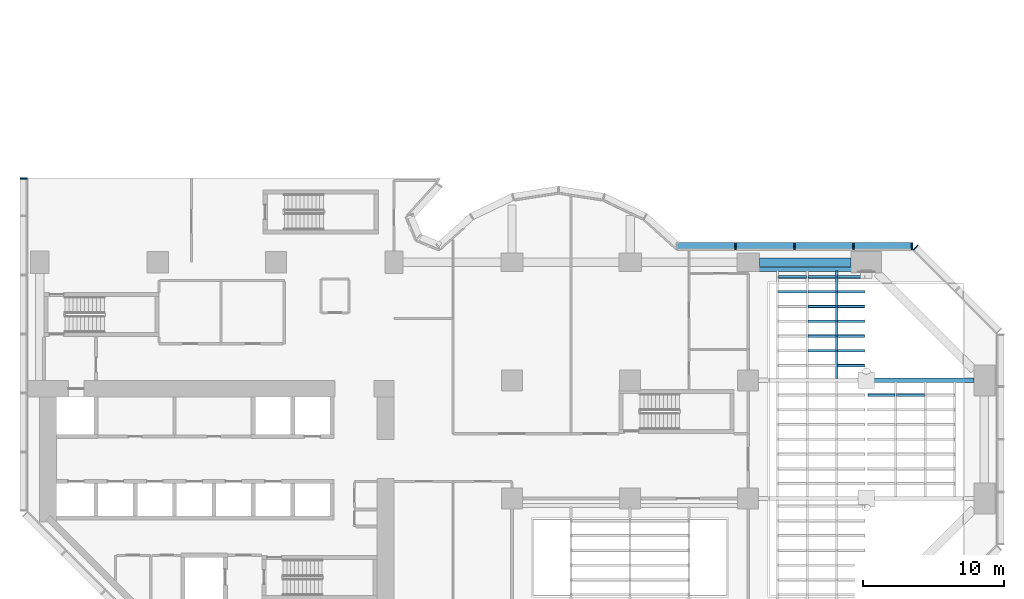
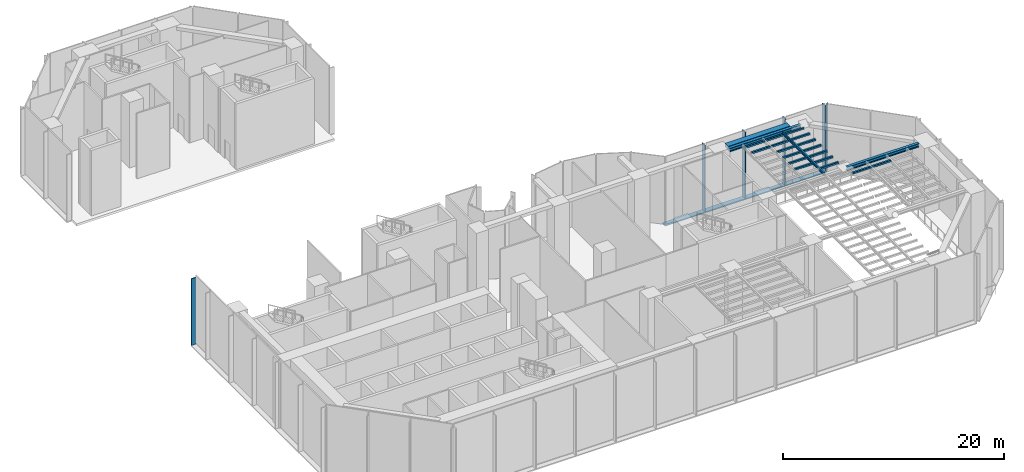
# One storey, part 4 of 22: 21 beams, 7 members, 3 elements without a shape of their own.
"""IFC4 building model written with IfcOpenShell, lengths in metres."""

from ifc_helpers import new_model, si_unit, direction, frame, origin, origin_2d, place, context, subcontext, project, spatial, rectangle, hollow_rectangle, i_section, extrude, material, material_profile, profile_set, type_object, element, aggregate, save


model = new_model("IFC4")

# Units and contexts
model_context = context("Model", 3, precision=1e-05, world=origin(), true_north=direction((0.0, 1.0)))
body_context = subcontext(model_context, "Body", "Model", "MODEL_VIEW")
ifc_project = project(units=[si_unit("LENGTHUNIT", "METRE"), si_unit("AREAUNIT", "SQUARE_METRE"), si_unit("VOLUMEUNIT", "CUBIC_METRE"), si_unit("PLANEANGLEUNIT", "RADIAN"), si_unit("MASSUNIT", "GRAM", prefix="KILO")], contexts=[model_context])

# Site, building, storey
site_placement = place(None, origin())
site = spatial("IfcSite", under=ifc_project, at=site_placement, CompositionType="ELEMENT")
building_placement = place(site_placement, origin())
building = spatial("IfcBuilding", under=site, at=building_placement, Name="Brevane Broadcast Tower", CompositionType="ELEMENT")
storey_placement = place(building_placement, frame((0.0, 0.0, 20.0)))
storey = spatial("IfcBuildingStorey", under=building, at=storey_placement, Name="L03", CompositionType="ELEMENT", Elevation=20.0)

# Curtain wall, member
ifc_material_1 = material(Name="Aluminium 6063-T6 bronze anodised", Category="aluminium")
curtain_wall_type = type_object("IfcCurtainWallType", Name="CW-2 curtain wall", PredefinedType="NOTDEFINED", material=ifc_material_1)
curtain_wall_1_placement = place(storey_placement, origin())
curtain_wall_1 = element("IfcCurtainWall", 1, at=curtain_wall_1_placement, inside=storey, type_object=curtain_wall_type, Name="CW-2 podium base unit L03 north-east chamfer", PredefinedType="NOTDEFINED")
ifc_material_profile_1 = material_profile(ifc_material_1, rectangle(XDim=0.5, YDim=0.090087890625, at=origin_2d()), Name="RECT 90x500")
ifc_profile_set_1 = profile_set([ifc_material_profile_1], Name="Aluminium 6063-T6 bronze anodised")
member_type_1 = type_object("IfcMemberType", Name="CW-2 mullion 90x500", PredefinedType="MULLION", material=ifc_profile_set_1)
member_1_placement = place(storey_placement, frame((62.30859375, 26.244873046875, -0.1298828125), z_axis=(0.0, 0.0, 1.0), x_axis=(-0.707106781187, -0.707106781187, 0.0)))
member_1 = element("IfcMember", 2, at=member_1_placement, type_object=member_type_1, Name="CW-2 mullion", PredefinedType="MULLION", context=body_context, shape_type="SweptSolid", body=[
    extrude(rectangle(XDim=0.5, YDim=0.090087890625, at=origin_2d()), origin(), (0.0, 0.0, 1.0), 7.3798828125),
])
aggregate(curtain_wall_1, [member_1])

# Curtain wall, members
curtain_wall_2_placement = place(storey_placement, origin())
curtain_wall_2 = element("IfcCurtainWall", 3, at=curtain_wall_2_placement, inside=storey, type_object=curtain_wall_type, Name="CW-2 podium base unit L03 east arm north face", PredefinedType="NOTDEFINED")
member_2_placement = place(storey_placement, frame((62.054931640625, 26.35009765625, -0.1298828125), z_axis=(0.0, 0.0, 1.0), x_axis=(0.0, -1.0, 0.0)))
member_2 = element("IfcMember", 4, at=member_2_placement, type_object=member_type_1, Name="CW-2 mullion", PredefinedType="MULLION", context=body_context, shape_type="SweptSolid", body=[
    extrude(rectangle(XDim=0.5, YDim=0.090087890625, at=origin_2d()), origin(), (0.0, 0.0, 1.0), 7.3798828125),
])
member_3_placement = place(storey_placement, frame((57.89990234375, 26.35009765625, -0.1298828125), z_axis=(0.0, 0.0, 1.0), x_axis=(0.0, -1.0, 0.0)))
member_3 = element("IfcMember", 5, at=member_3_placement, type_object=member_type_1, Name="CW-2 mullion", PredefinedType="MULLION", context=body_context, shape_type="SweptSolid", body=[
    extrude(rectangle(XDim=0.5, YDim=0.090087890625, at=origin_2d()), origin(), (0.0, 0.0, 1.0), 7.3798828125),
])
member_4_placement = place(storey_placement, frame((53.699951171875, 26.35009765625, -0.1298828125), z_axis=(0.0, 0.0, 1.0), x_axis=(0.0, -1.0, 0.0)))
member_4 = element("IfcMember", 6, at=member_4_placement, type_object=member_type_1, Name="CW-2 mullion", PredefinedType="MULLION", context=body_context, shape_type="SweptSolid", body=[
    extrude(rectangle(XDim=0.5, YDim=0.090087890625, at=origin_2d()), origin(), (0.0, 0.0, 1.0), 7.3798828125),
])
member_5_placement = place(storey_placement, frame((49.5, 26.35009765625, -0.1298828125), z_axis=(0.0, 0.0, 1.0), x_axis=(0.0, -1.0, 0.0)))
member_5 = element("IfcMember", 7, at=member_5_placement, type_object=member_type_1, Name="CW-2 mullion", PredefinedType="MULLION", context=body_context, shape_type="SweptSolid", body=[
    extrude(rectangle(XDim=0.5, YDim=0.090087890625, at=origin_2d()), origin(), (0.0, 0.0, 1.0), 7.3798828125),
])

# Curtain wall, member
curtain_wall_3_placement = place(storey_placement, origin())
curtain_wall_3 = element("IfcCurtainWall", 8, at=curtain_wall_3_placement, inside=storey, type_object=curtain_wall_type, Name="CW-2 podium base unit L03 west face", PredefinedType="NOTDEFINED")
member_6_placement = place(storey_placement, frame((-1.14990234375, 31.155029296875, -0.1298828125), z_axis=(0.0, 0.0, 1.0), x_axis=(1.0, 0.0, 0.0)))
member_6 = element("IfcMember", 9, at=member_6_placement, type_object=member_type_1, Name="CW-2 mullion", PredefinedType="MULLION", context=body_context, shape_type="SweptSolid", body=[
    extrude(rectangle(XDim=0.5, YDim=0.090087890625, at=origin_2d()), origin(), (0.0, 0.0, 1.0), 7.3798828125),
])
aggregate(curtain_wall_3, [member_6])

# Member
ifc_material_profile_2 = material_profile(ifc_material_1, rectangle(XDim=0.5, YDim=0.1201171875, at=origin_2d()), Name="RECT 120x500")
ifc_profile_set_2 = profile_set([ifc_material_profile_2], Name="Aluminium 6063-T6 bronze anodised")
member_type_2 = type_object("IfcMemberType", Name="CW-2 transom 120x500", PredefinedType="USERDEFINED", material=ifc_profile_set_2)
member_7_placement = place(storey_placement, frame((62.10009765625, 26.35009765625, -0.18994140625), z_axis=(-1.0, 0.0, 0.0), x_axis=(0.0, -1.0, 0.0)))
member_7 = element("IfcMember", 10, at=member_7_placement, type_object=member_type_2, Name="CW-2 transom", ObjectType="TRANSOM", PredefinedType="USERDEFINED", context=body_context, shape_type="SweptSolid", body=[
    extrude(rectangle(XDim=0.5, YDim=0.1201171875, at=origin_2d()), origin(), (0.0, 0.0, 1.0), 16.800048828125),
])

aggregate(curtain_wall_2, [member_2, member_3, member_4, member_5, member_7])

# Beams
ifc_material_2 = material(Name="Concrete C40/50", Category="concrete")
ifc_material_profile_3 = material_profile(ifc_material_2, rectangle(XDim=0.60009765625, YDim=0.35009765625, at=origin_2d()), Name="RC 600x350")
ifc_profile_set_3 = profile_set([ifc_material_profile_3], Name="Concrete C40/50")
beam_type_1 = type_object("IfcBeamType", Name="RC SPANDREL BEAM 600x350 C40/50", PredefinedType="SPANDREL", material=ifc_profile_set_3)
beam_1_placement = place(storey_placement, frame((57.699951171875, 25.199951171875, 7.074951171875), z_axis=(-1.0, 0.0, 0.0), x_axis=(0.0, -1.0, 0.0)))
element("IfcBeam", 11, at=beam_1_placement, inside=storey, type_object=beam_type_1, Name="EB1 L03-8", PredefinedType="SPANDREL", context=body_context, shape_type="SweptSolid", body=[
    extrude(rectangle(XDim=0.60009765625, YDim=0.35009765625, at=origin_2d()), origin(), (0.0, 0.0, 1.0), 6.5),
])
ifc_material_3 = material(Name="Steel S355", Category="steel")
ifc_material_profile_4 = material_profile(ifc_material_3, hollow_rectangle(XDim=0.199951171875, YDim=0.199951171875, WallThickness=0.010009765625, InnerFilletRadius=0.010009765625, OuterFilletRadius=0.02001953125, at=origin_2d()), Name="RHS 200x200x10")
ifc_profile_set_4 = profile_set([ifc_material_profile_4], Name="Steel S355")
beam_type_2 = type_object("IfcBeamType", Name="STEEL RIGGING BATTEN RHS 200x200x10 S355", PredefinedType="BEAM", material=ifc_profile_set_4)
beam_2_placement = place(storey_placement, frame((62.955078125, 15.75, 7.14990234375), z_axis=(-1.0, 0.0, 0.0), x_axis=(0.0, -1.0, 0.0)))
element("IfcBeam", 12, at=beam_2_placement, inside=storey, type_object=beam_type_2, Name="RG3 E41", PredefinedType="BEAM", context=body_context, shape_type="SweptSolid", body=[
    extrude(hollow_rectangle(XDim=0.199951171875, YDim=0.199951171875, WallThickness=0.010009765625, InnerFilletRadius=0.010009765625, OuterFilletRadius=0.02001953125, at=origin_2d()), origin(), (0.0, 0.0, 1.0), 2.010009765625),
])
beam_3_placement = place(storey_placement, frame((60.85498046875, 15.75, 7.14990234375), z_axis=(-1.0, 0.0, 0.0), x_axis=(0.0, -1.0, 0.0)))
element("IfcBeam", 13, at=beam_3_placement, inside=storey, type_object=beam_type_2, Name="RG3 E42", PredefinedType="BEAM", context=body_context, shape_type="SweptSolid", body=[
    extrude(hollow_rectangle(XDim=0.199951171875, YDim=0.199951171875, WallThickness=0.010009765625, InnerFilletRadius=0.010009765625, OuterFilletRadius=0.02001953125, at=origin_2d()), origin(), (0.0, 0.0, 1.0), 1.93408203125),
])
beam_4_placement = place(storey_placement, frame((56.7451171875, 17.85009765625, 7.14990234375), z_axis=(1.0, 0.0, 0.0), x_axis=(0.0, 1.0, 0.0)))
element("IfcBeam", 14, at=beam_4_placement, inside=storey, type_object=beam_type_2, Name="RG3 W66", PredefinedType="BEAM", context=body_context, shape_type="SweptSolid", body=[
    extrude(hollow_rectangle(XDim=0.199951171875, YDim=0.199951171875, WallThickness=0.010009765625, InnerFilletRadius=0.010009765625, OuterFilletRadius=0.02001953125, at=origin_2d()), origin(), (0.0, 0.0, 1.0), 1.933837890625),
])
beam_5_placement = place(storey_placement, frame((54.64501953125, 18.89990234375, 7.14990234375), z_axis=(1.0, 0.0, 0.0), x_axis=(0.0, 1.0, 0.0)))
element("IfcBeam", 15, at=beam_5_placement, inside=storey, type_object=beam_type_2, Name="RG3 W68", PredefinedType="BEAM", context=body_context, shape_type="SweptSolid", body=[
    extrude(hollow_rectangle(XDim=0.199951171875, YDim=0.199951171875, WallThickness=0.010009765625, InnerFilletRadius=0.010009765625, OuterFilletRadius=0.02001953125, at=origin_2d()), origin(), (0.0, 0.0, 1.0), 2.010009765625),
])
beam_6_placement = place(storey_placement, frame((56.7451171875, 18.89990234375, 7.14990234375), z_axis=(1.0, 0.0, 0.0), x_axis=(0.0, 1.0, 0.0)))
element("IfcBeam", 16, at=beam_6_placement, inside=storey, type_object=beam_type_2, Name="RG3 W69", PredefinedType="BEAM", context=body_context, shape_type="SweptSolid", body=[
    extrude(hollow_rectangle(XDim=0.199951171875, YDim=0.199951171875, WallThickness=0.010009765625, InnerFilletRadius=0.010009765625, OuterFilletRadius=0.02001953125, at=origin_2d()), origin(), (0.0, 0.0, 1.0), 1.933837890625),
])
beam_7_placement = place(storey_placement, frame((54.64501953125, 19.949951171875, 7.14990234375), z_axis=(1.0, 0.0, 0.0), x_axis=(0.0, 1.0, 0.0)))
element("IfcBeam", 17, at=beam_7_placement, inside=storey, type_object=beam_type_2, Name="RG3 W71", PredefinedType="BEAM", context=body_context, shape_type="SweptSolid", body=[
    extrude(hollow_rectangle(XDim=0.199951171875, YDim=0.199951171875, WallThickness=0.010009765625, InnerFilletRadius=0.010009765625, OuterFilletRadius=0.02001953125, at=origin_2d()), origin(), (0.0, 0.0, 1.0), 2.010009765625),
])
beam_8_placement = place(storey_placement, frame((56.7451171875, 19.949951171875, 7.14990234375), z_axis=(1.0, 0.0, 0.0), x_axis=(0.0, 1.0, 0.0)))
element("IfcBeam", 18, at=beam_8_placement, inside=storey, type_object=beam_type_2, Name="RG3 W72", PredefinedType="BEAM", context=body_context, shape_type="SweptSolid", body=[
    extrude(hollow_rectangle(XDim=0.199951171875, YDim=0.199951171875, WallThickness=0.010009765625, InnerFilletRadius=0.010009765625, OuterFilletRadius=0.02001953125, at=origin_2d()), origin(), (0.0, 0.0, 1.0), 1.933837890625),
])
beam_9_placement = place(storey_placement, frame((54.64501953125, 21.0, 7.14990234375), z_axis=(1.0, 0.0, 0.0), x_axis=(0.0, 1.0, 0.0)))
element("IfcBeam", 19, at=beam_9_placement, inside=storey, type_object=beam_type_2, Name="RG3 W74", PredefinedType="BEAM", context=body_context, shape_type="SweptSolid", body=[
    extrude(hollow_rectangle(XDim=0.199951171875, YDim=0.199951171875, WallThickness=0.010009765625, InnerFilletRadius=0.010009765625, OuterFilletRadius=0.02001953125, at=origin_2d()), origin(), (0.0, 0.0, 1.0), 2.010009765625),
])
beam_10_placement = place(storey_placement, frame((56.7451171875, 21.0, 7.14990234375), z_axis=(1.0, 0.0, 0.0), x_axis=(0.0, 1.0, 0.0)))
element("IfcBeam", 20, at=beam_10_placement, inside=storey, type_object=beam_type_2, Name="RG3 W75", PredefinedType="BEAM", context=body_context, shape_type="SweptSolid", body=[
    extrude(hollow_rectangle(XDim=0.199951171875, YDim=0.199951171875, WallThickness=0.010009765625, InnerFilletRadius=0.010009765625, OuterFilletRadius=0.02001953125, at=origin_2d()), origin(), (0.0, 0.0, 1.0), 1.933837890625),
])
beam_11_placement = place(storey_placement, frame((54.64501953125, 22.050048828125, 7.14990234375), z_axis=(1.0, 0.0, 0.0), x_axis=(0.0, 1.0, 0.0)))
element("IfcBeam", 21, at=beam_11_placement, inside=storey, type_object=beam_type_2, Name="RG3 W77", PredefinedType="BEAM", context=body_context, shape_type="SweptSolid", body=[
    extrude(hollow_rectangle(XDim=0.199951171875, YDim=0.199951171875, WallThickness=0.010009765625, InnerFilletRadius=0.010009765625, OuterFilletRadius=0.02001953125, at=origin_2d()), origin(), (0.0, 0.0, 1.0), 2.010009765625),
])
beam_12_placement = place(storey_placement, frame((56.7451171875, 22.050048828125, 7.14990234375), z_axis=(1.0, 0.0, 0.0), x_axis=(0.0, 1.0, 0.0)))
element("IfcBeam", 22, at=beam_12_placement, inside=storey, type_object=beam_type_2, Name="RG3 W78", PredefinedType="BEAM", context=body_context, shape_type="SweptSolid", body=[
    extrude(hollow_rectangle(XDim=0.199951171875, YDim=0.199951171875, WallThickness=0.010009765625, InnerFilletRadius=0.010009765625, OuterFilletRadius=0.02001953125, at=origin_2d()), origin(), (0.0, 0.0, 1.0), 1.933837890625),
])
for number, where, z_axis, x_axis, name in (
    (23, (52.544921875, 23.10009765625, 7.14990234375), (1.0, 0.0, 0.0), (0.0, 1.0, 0.0), "RG3 W79"),
    (24, (54.64501953125, 23.10009765625, 7.14990234375), (1.0, 0.0, 0.0), (0.0, 1.0, 0.0), "RG3 W80"),
):
    element("IfcBeam", number, at=place(storey_placement, frame(where, z_axis=z_axis, x_axis=x_axis)), inside=storey, type_object=beam_type_2, Name=name, PredefinedType="BEAM", context=body_context, shape_type="SweptSolid", body=[
        extrude(hollow_rectangle(XDim=0.199951171875, YDim=0.199951171875, WallThickness=0.010009765625, InnerFilletRadius=0.010009765625, OuterFilletRadius=0.02001953125, at=origin_2d()), origin(), (0.0, 0.0, 1.0), 2.010009765625),
    ])
beam_13_placement = place(storey_placement, frame((56.7451171875, 23.10009765625, 7.14990234375), z_axis=(1.0, 0.0, 0.0), x_axis=(0.0, 1.0, 0.0)))
element("IfcBeam", 25, at=beam_13_placement, inside=storey, type_object=beam_type_2, Name="RG3 W81", PredefinedType="BEAM", context=body_context, shape_type="SweptSolid", body=[
    extrude(hollow_rectangle(XDim=0.199951171875, YDim=0.199951171875, WallThickness=0.010009765625, InnerFilletRadius=0.010009765625, OuterFilletRadius=0.02001953125, at=origin_2d()), origin(), (0.0, 0.0, 1.0), 1.933837890625),
])
for number, where, z_axis, x_axis, name in (
    (26, (52.544921875, 24.14990234375, 7.14990234375), (1.0, 0.0, 0.0), (0.0, 1.0, 0.0), "RG3 W82"),
    (27, (54.64501953125, 24.14990234375, 7.14990234375), (1.0, 0.0, 0.0), (0.0, 1.0, 0.0), "RG3 W83"),
):
    element("IfcBeam", number, at=place(storey_placement, frame(where, z_axis=z_axis, x_axis=x_axis)), inside=storey, type_object=beam_type_2, Name=name, PredefinedType="BEAM", context=body_context, shape_type="SweptSolid", body=[
        extrude(hollow_rectangle(XDim=0.199951171875, YDim=0.199951171875, WallThickness=0.010009765625, InnerFilletRadius=0.010009765625, OuterFilletRadius=0.02001953125, at=origin_2d()), origin(), (0.0, 0.0, 1.0), 2.010009765625),
    ])
beam_14_placement = place(storey_placement, frame((56.7451171875, 24.14990234375, 7.14990234375), z_axis=(1.0, 0.0, 0.0), x_axis=(0.0, 1.0, 0.0)))
element("IfcBeam", 28, at=beam_14_placement, inside=storey, type_object=beam_type_2, Name="RG3 W84", PredefinedType="BEAM", context=body_context, shape_type="SweptSolid", body=[
    extrude(hollow_rectangle(XDim=0.199951171875, YDim=0.199951171875, WallThickness=0.010009765625, InnerFilletRadius=0.010009765625, OuterFilletRadius=0.02001953125, at=origin_2d()), origin(), (0.0, 0.0, 1.0), 1.933837890625),
])
ifc_material_profile_5 = material_profile(ifc_material_3, i_section(OverallWidth=0.14990234375, OverallDepth=0.300048828125, WebThickness=0.007080078125, FlangeThickness=0.0107421875, FilletRadius=0.014892578125, at=origin_2d()), Name="IPE 300")
ifc_profile_set_5 = profile_set([ifc_material_profile_5], Name="Steel S355")
beam_type_3 = type_object("IfcBeamType", Name="STEEL RIGGING CROSS GIRDER IPE 300 S355", PredefinedType="BEAM", material=ifc_profile_set_5)
beam_15_placement = place(storey_placement, frame((56.699951171875, 16.919921875, 7.10009765625), z_axis=(0.0, 1.0, 0.0), x_axis=(-1.0, 0.0, 0.0)))
element("IfcBeam", 29, at=beam_15_placement, inside=storey, type_object=beam_type_3, Name="RG2 W12", PredefinedType="BEAM", context=body_context, shape_type="SweptSolid", body=[
    extrude(i_section(OverallWidth=0.14990234375, OverallDepth=0.300048828125, WebThickness=0.007080078125, FlangeThickness=0.0107421875, FilletRadius=0.014892578125, at=origin_2d()), origin(), (0.0, 0.0, 1.0), 7.66015625),
])
ifc_material_profile_6 = material_profile(ifc_material_3, i_section(OverallWidth=0.300048828125, OverallDepth=0.39990234375, WebThickness=0.013427734375, FlangeThickness=0.02392578125, FilletRadius=0.027099609375, at=origin_2d()), Name="HE 400 B")
ifc_profile_set_6 = profile_set([ifc_material_profile_6], Name="Steel S355")
beam_type_4 = type_object("IfcBeamType", Name="STEEL RIGGING GIRDER HE 400 B S355", PredefinedType="BEAM", material=ifc_profile_set_6)
beam_16_placement = place(storey_placement, frame((66.47998046875, 16.800048828125, 7.050048828125), z_axis=(-1.0, 0.0, 0.0), x_axis=(0.0, -1.0, 0.0)))
element("IfcBeam", 30, at=beam_16_placement, inside=storey, type_object=beam_type_4, Name="RG1 E4", PredefinedType="BEAM", context=body_context, shape_type="SweptSolid", body=[
    extrude(i_section(OverallWidth=0.300048828125, OverallDepth=0.39990234375, WebThickness=0.013427734375, FlangeThickness=0.02392578125, FilletRadius=0.027099609375, at=origin_2d()), origin(), (0.0, 0.0, 1.0), 7.55908203125),
])
beam_17_placement = place(storey_placement, frame((51.169921875, 24.699951171875, 7.050048828125), z_axis=(1.0, 0.0, 0.0), x_axis=(0.0, 1.0, 0.0)))
element("IfcBeam", 31, at=beam_17_placement, inside=storey, type_object=beam_type_4, Name="RG1 W6", PredefinedType="BEAM", context=body_context, shape_type="SweptSolid", body=[
    extrude(i_section(OverallWidth=0.300048828125, OverallDepth=0.39990234375, WebThickness=0.013427734375, FlangeThickness=0.02392578125, FilletRadius=0.027099609375, at=origin_2d()), origin(), (0.0, 0.0, 1.0), 7.509033203125),
])

save(model, "model.ifc")
